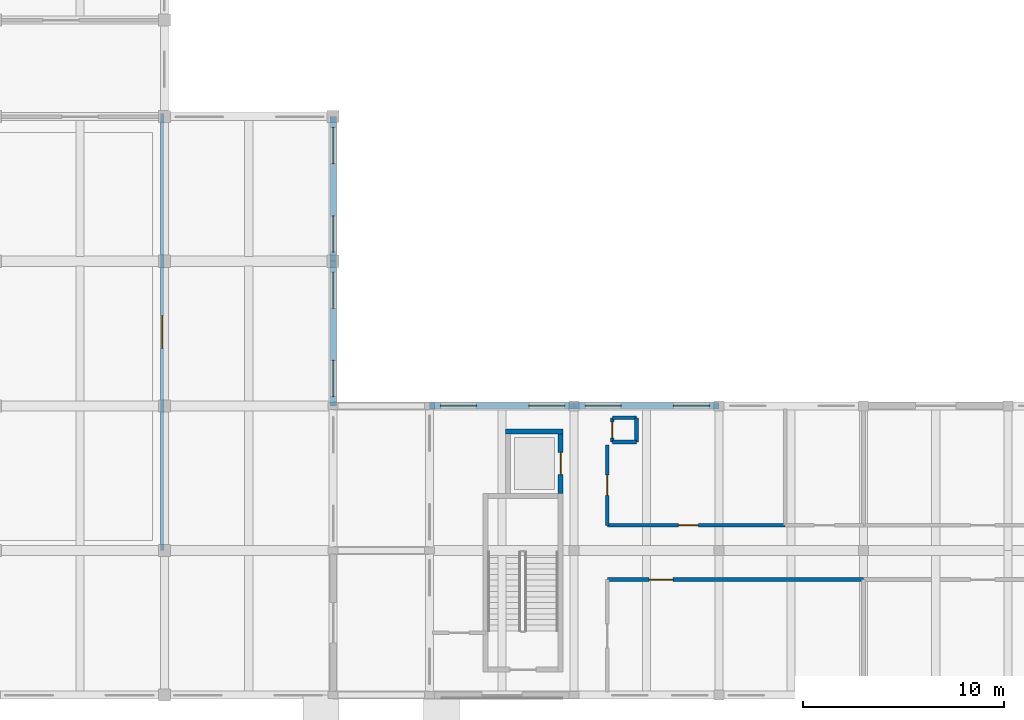
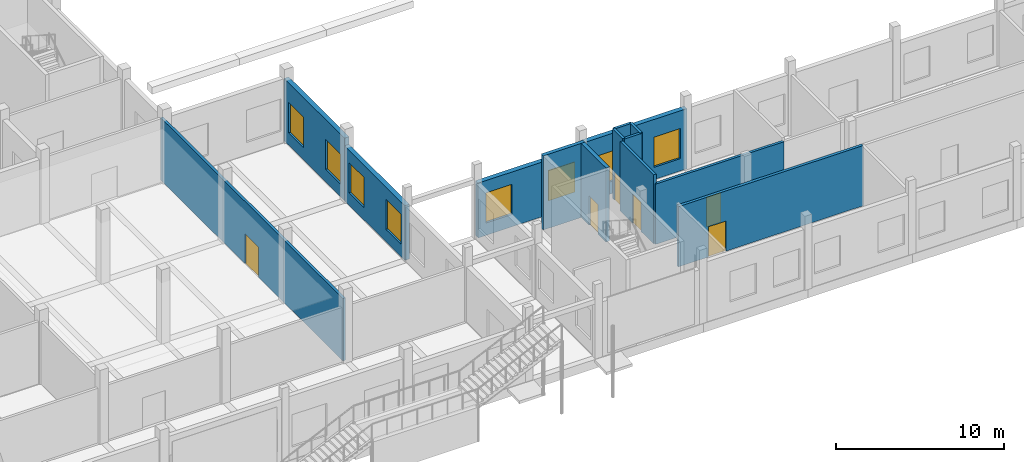
# One storey, part 16 of 41: 14 walls, 8 windows, 6 doors, 14 openings.
"""IFC4 building model written with IfcOpenShell, lengths in metres."""

from ifc_helpers import new_model, si_unit, direction, frame, frame_2d, origin, place, context, subcontext, project, spatial, rectangle, extrude, material, layer, layer_set, type_object, element, fill, save


model = new_model("IFC4")

# Units and contexts
model_context = context("Model", 3, precision=1e-05, world=origin(), true_north=direction((0.0, 1.0)))
body_context = subcontext(model_context, "Body", "Model", "MODEL_VIEW")
ifc_project = project(units=[si_unit("LENGTHUNIT", "METRE"), si_unit("AREAUNIT", "SQUARE_METRE"), si_unit("VOLUMEUNIT", "CUBIC_METRE"), si_unit("PLANEANGLEUNIT", "RADIAN"), si_unit("MASSUNIT", "GRAM", prefix="KILO")], contexts=[model_context])

# Site, building, storey
site_placement = place(None, origin())
site = spatial("IfcSite", under=ifc_project, at=site_placement, CompositionType="ELEMENT")
building_placement = place(site_placement, origin())
building = spatial("IfcBuilding", under=site, at=building_placement, Name="Kahlenmark Community Centre", CompositionType="ELEMENT")
storey_placement = place(building_placement, origin())
storey = spatial("IfcBuildingStorey", under=building, at=storey_placement, Name="L00", CompositionType="ELEMENT", Elevation=0.0)

# Wall
ifc_material_1 = material(Name="Concrete C35/45", Category="concrete")
ifc_layer_1 = layer(ifc_material_1, 0.25)
ifc_layer_set_1 = layer_set([ifc_layer_1], Name="Concrete C35/45")
wall_type_1 = type_object("IfcWallType", Name="WT-CORE-250", PredefinedType="SHEAR", material=ifc_layer_set_1)
wall_1_placement = place(storey_placement, frame((54.590087890625, 21.93505859375, 0.0), z_axis=(0.0, 0.0, 1.0), x_axis=(1.0, 0.0, 0.0)))
element("IfcWall", 1, at=wall_1_placement, inside=storey, type_object=wall_type_1, Name="Core K3 shear wall WL-CORE-K3-L00-0075", PredefinedType="SHEAR", context=body_context, shape_type="SweptSolid", body=[
    extrude(rectangle(XDim=2.85986328125, YDim=0.25, at=frame_2d((1.429931640625, 0.0))), origin(), (0.0, 0.0, 1.0), 5.39990234375),
])

# Wall, opening, door
wall_2_placement = place(storey_placement, frame((57.324951171875, 18.85009765625, 0.0), z_axis=(0.0, 0.0, 1.0), x_axis=(0.0, 1.0, 0.0)))
wall_2 = element("IfcWall", 2, at=wall_2_placement, inside=storey, type_object=wall_type_1, Name="Core K3 shear wall WL-CORE-K3-L00-0076", PredefinedType="SHEAR", context=body_context, shape_type="SweptSolid", body=[
    extrude(rectangle(XDim=2.9599609375, YDim=0.25, at=frame_2d((1.47998046875, 0.0))), origin(), (0.0, 0.0, 1.0), 5.39990234375),
])
opening_1_placement = place(wall_2_placement, frame((0.929931640625, 0.0, -0.010009765625)))
opening_1 = element("IfcOpeningElement", 3, at=opening_1_placement, cuts=wall_2, Name="Opening LD-3", PredefinedType="OPENING", context=body_context, shape_type="SweptSolid", body=[
    extrude(rectangle(XDim=1.10009765625, YDim=2.159912109375, at=frame_2d((0.550048828125, 1.080078125))), frame((0.0, 0.135009765625, 0.0), z_axis=(0.0, -1.0, 0.0), x_axis=(1.0, 0.0, 0.0)), (0.0, 0.0, 1.0), 0.27001953125),
])
ifc_material_2 = material(Name="Brushed stainless steel sliding lift landing door", Category="steel")
door_type_1 = type_object("IfcDoorType", Name="DT-LD-K3", OperationType="SLIDING_TO_LEFT", PredefinedType="DOOR", material=ifc_material_2)
door_1_placement = place(opening_1_placement, frame((0.0, 0.0, 0.010009765625)))
door_1 = element("IfcDoor", 4, at=door_1_placement, inside=storey, type_object=door_type_1, Name="Lift LF-03 sliding landing door L00", OperationType="SLIDING_TO_LEFT", OverallHeight=2.14990234375, OverallWidth=1.10009765625, PredefinedType="DOOR", context=body_context, shape_type="SweptSolid", body=[
    extrude(rectangle(XDim=1.10009765625, YDim=2.14990234375, at=frame_2d((0.550048828125, 1.074951171875))), frame((0.0, 0.02490234375, 0.0), z_axis=(0.0, -1.0, 0.0), x_axis=(1.0, 0.0, 0.0)), (0.0, 0.0, 1.0), 0.050048828125),
])
fill(opening_1, door_1)

# Wall, openings, windows
ifc_material_3 = material(Name="Danube limestone masonry", Category="masonry")
ifc_layer_2 = layer(ifc_material_3, 0.320068359375)
ifc_layer_set_2 = layer_set([ifc_layer_2], Name="Danube limestone masonry")
wall_type_2 = type_object("IfcWallType", Name="WT-EW-320", PredefinedType="SOLIDWALL", material=ifc_layer_set_2)
wall_3_placement = place(storey_placement, frame((46.0, 23.199951171875, 0.0), z_axis=(0.0, 0.0, 1.0), x_axis=(0.0, 1.0, 0.0)))
wall_3 = element("IfcWall", 5, at=wall_3_placement, inside=storey, type_object=wall_type_2, Name="Exterior wall WL-EXT-L00-0150", PredefinedType="SOLIDWALL", context=body_context, shape_type="SweptSolid", body=[
    extrude(rectangle(XDim=7.199951171875, YDim=0.320068359375, at=frame_2d((3.60009765625, 0.0))), origin(), (0.0, 0.0, 1.0), 3.989990234375),
])
opening_2_placement = place(wall_3_placement, frame((0.4599609375, 0.0, 0.89990234375)))
opening_2 = element("IfcOpeningElement", 6, at=opening_2_placement, cuts=wall_3, Name="Opening W-180X220", PredefinedType="OPENING", context=body_context, shape_type="SweptSolid", body=[
    extrude(rectangle(XDim=1.800048828125, YDim=2.199951171875, at=frame_2d((0.89990234375, 1.10009765625))), frame((0.0, 0.169921875, 0.0), z_axis=(0.0, -1.0, 0.0), x_axis=(1.0, 0.0, 0.0)), (0.0, 0.0, 1.0), 0.340087890625),
])
opening_3_placement = place(wall_3_placement, frame((4.860107421875, 0.0, 0.89990234375)))
opening_3 = element("IfcOpeningElement", 7, at=opening_3_placement, cuts=wall_3, Name="Opening W-180X220", PredefinedType="OPENING", context=body_context, shape_type="SweptSolid", body=[
    extrude(rectangle(XDim=1.800048828125, YDim=2.199951171875, at=frame_2d((0.89990234375, 1.10009765625))), frame((0.0, 0.169921875, 0.0), z_axis=(0.0, -1.0, 0.0), x_axis=(1.0, 0.0, 0.0)), (0.0, 0.0, 1.0), 0.340087890625),
])
ifc_material_4 = material(Name="Triple low-e insulated glazing in timber-aluminium frame", Category="wood")
window_type = type_object("IfcWindowType", Name="WNT-180X220", PartitioningType="DOUBLE_PANEL_VERTICAL", PredefinedType="WINDOW", material=ifc_material_4)
window_1_placement = place(opening_2_placement, origin())
window_1 = element("IfcWindow", 8, at=window_1_placement, inside=storey, type_object=window_type, Name="Window W-180X220 #0024", OverallHeight=2.199951171875, OverallWidth=1.800048828125, PartitioningType="DOUBLE_PANEL_VERTICAL", PredefinedType="WINDOW", context=body_context, shape_type="SweptSolid", body=[
    extrude(rectangle(XDim=1.800048828125, YDim=2.199951171875, at=frame_2d((0.89990234375, 1.10009765625))), frame((0.0, 0.030029296875, 0.0), z_axis=(0.0, -1.0, 0.0), x_axis=(1.0, 0.0, 0.0)), (0.0, 0.0, 1.0), 0.06005859375),
])
fill(opening_2, window_1)
window_2_placement = place(opening_3_placement, origin())
window_2 = element("IfcWindow", 9, at=window_2_placement, inside=storey, type_object=window_type, Name="Window W-180X220 #0025", OverallHeight=2.199951171875, OverallWidth=1.800048828125, PartitioningType="DOUBLE_PANEL_VERTICAL", PredefinedType="WINDOW", context=body_context, shape_type="SweptSolid", body=[
    extrude(rectangle(XDim=1.800048828125, YDim=2.199951171875, at=frame_2d((0.89990234375, 1.10009765625))), frame((0.0, 0.030029296875, 0.0), z_axis=(0.0, -1.0, 0.0), x_axis=(1.0, 0.0, 0.0)), (0.0, 0.0, 1.0), 0.06005859375),
])
fill(opening_3, window_2)

wall_4_placement = place(storey_placement, frame((46.0, 30.39990234375, 0.0), z_axis=(0.0, 0.0, 1.0), x_axis=(0.0, 1.0, 0.0)))
wall_4 = element("IfcWall", 10, at=wall_4_placement, inside=storey, type_object=wall_type_2, Name="Exterior wall WL-EXT-L00-0151", PredefinedType="SOLIDWALL", context=body_context, shape_type="SweptSolid", body=[
    extrude(rectangle(XDim=7.2001953125, YDim=0.320068359375, at=frame_2d((3.60009765625, 0.0))), origin(), (0.0, 0.0, 1.0), 4.5400390625),
])
opening_4_placement = place(wall_4_placement, frame((0.4599609375, 0.0, 0.89990234375)))
opening_4 = element("IfcOpeningElement", 11, at=opening_4_placement, cuts=wall_4, Name="Opening W-180X220", PredefinedType="OPENING", context=body_context, shape_type="SweptSolid", body=[
    extrude(rectangle(XDim=1.800048828125, YDim=2.199951171875, at=frame_2d((0.89990234375, 1.10009765625))), frame((0.0, 0.169921875, 0.0), z_axis=(0.0, -1.0, 0.0), x_axis=(1.0, 0.0, 0.0)), (0.0, 0.0, 1.0), 0.340087890625),
])
opening_5_placement = place(wall_4_placement, frame((4.860107421875, 0.0, 0.89990234375)))
opening_5 = element("IfcOpeningElement", 12, at=opening_5_placement, cuts=wall_4, Name="Opening W-180X220", PredefinedType="OPENING", context=body_context, shape_type="SweptSolid", body=[
    extrude(rectangle(XDim=1.800048828125, YDim=2.199951171875, at=frame_2d((0.89990234375, 1.10009765625))), frame((0.0, 0.169921875, 0.0), z_axis=(0.0, -1.0, 0.0), x_axis=(1.0, 0.0, 0.0)), (0.0, 0.0, 1.0), 0.340087890625),
])
window_3_placement = place(opening_4_placement, origin())
window_3 = element("IfcWindow", 13, at=window_3_placement, inside=storey, type_object=window_type, Name="Window W-180X220 #0026", OverallHeight=2.199951171875, OverallWidth=1.800048828125, PartitioningType="DOUBLE_PANEL_VERTICAL", PredefinedType="WINDOW", context=body_context, shape_type="SweptSolid", body=[
    extrude(rectangle(XDim=1.800048828125, YDim=2.199951171875, at=frame_2d((0.89990234375, 1.10009765625))), frame((0.0, 0.030029296875, 0.0), z_axis=(0.0, -1.0, 0.0), x_axis=(1.0, 0.0, 0.0)), (0.0, 0.0, 1.0), 0.06005859375),
])
fill(opening_4, window_3)
window_4_placement = place(opening_5_placement, origin())
window_4 = element("IfcWindow", 14, at=window_4_placement, inside=storey, type_object=window_type, Name="Window W-180X220 #0027", OverallHeight=2.199951171875, OverallWidth=1.800048828125, PartitioningType="DOUBLE_PANEL_VERTICAL", PredefinedType="WINDOW", context=body_context, shape_type="SweptSolid", body=[
    extrude(rectangle(XDim=1.800048828125, YDim=2.199951171875, at=frame_2d((0.89990234375, 1.10009765625))), frame((0.0, 0.030029296875, 0.0), z_axis=(0.0, -1.0, 0.0), x_axis=(1.0, 0.0, 0.0)), (0.0, 0.0, 1.0), 0.06005859375),
])
fill(opening_5, window_4)

wall_5_placement = place(storey_placement, frame((58.0, 23.199951171875, 0.0), z_axis=(0.0, 0.0, 1.0), x_axis=(-1.0, 0.0, 0.0)))
wall_5 = element("IfcWall", 15, at=wall_5_placement, inside=storey, type_object=wall_type_2, Name="Exterior wall WL-EXT-L00-0172", PredefinedType="SOLIDWALL", context=body_context, shape_type="SweptSolid", body=[
    extrude(rectangle(XDim=7.199951171875, YDim=0.320068359375, at=frame_2d((3.60009765625, 0.0))), origin(), (0.0, 0.0, 1.0), 3.989990234375),
])
opening_6_placement = place(wall_5_placement, frame((0.4599609375, 0.0, 0.89990234375)))
opening_6 = element("IfcOpeningElement", 16, at=opening_6_placement, cuts=wall_5, Name="Opening W-180X220", PredefinedType="OPENING", context=body_context, shape_type="SweptSolid", body=[
    extrude(rectangle(XDim=1.800048828125, YDim=2.199951171875, at=frame_2d((0.89990234375, 1.10009765625))), frame((0.0, 0.169921875, 0.0), z_axis=(0.0, -1.0, 0.0), x_axis=(1.0, 0.0, 0.0)), (0.0, 0.0, 1.0), 0.340087890625),
])
opening_7_placement = place(wall_5_placement, frame((4.860107421875, 0.0, 0.89990234375)))
opening_7 = element("IfcOpeningElement", 17, at=opening_7_placement, cuts=wall_5, Name="Opening W-180X220", PredefinedType="OPENING", context=body_context, shape_type="SweptSolid", body=[
    extrude(rectangle(XDim=1.800048828125, YDim=2.199951171875, at=frame_2d((0.89990234375, 1.10009765625))), frame((0.0, 0.169921875, 0.0), z_axis=(0.0, -1.0, 0.0), x_axis=(1.0, 0.0, 0.0)), (0.0, 0.0, 1.0), 0.340087890625),
])
window_5_placement = place(opening_6_placement, origin())
window_5 = element("IfcWindow", 18, at=window_5_placement, inside=storey, type_object=window_type, Name="Window W-180X220 #0054", OverallHeight=2.199951171875, OverallWidth=1.800048828125, PartitioningType="DOUBLE_PANEL_VERTICAL", PredefinedType="WINDOW", context=body_context, shape_type="SweptSolid", body=[
    extrude(rectangle(XDim=1.800048828125, YDim=2.199951171875, at=frame_2d((0.89990234375, 1.10009765625))), frame((0.0, 0.030029296875, 0.0), z_axis=(0.0, -1.0, 0.0), x_axis=(1.0, 0.0, 0.0)), (0.0, 0.0, 1.0), 0.06005859375),
])
fill(opening_6, window_5)
window_6_placement = place(opening_7_placement, origin())
window_6 = element("IfcWindow", 19, at=window_6_placement, inside=storey, type_object=window_type, Name="Window W-180X220 #0055", OverallHeight=2.199951171875, OverallWidth=1.800048828125, PartitioningType="DOUBLE_PANEL_VERTICAL", PredefinedType="WINDOW", context=body_context, shape_type="SweptSolid", body=[
    extrude(rectangle(XDim=1.800048828125, YDim=2.199951171875, at=frame_2d((0.89990234375, 1.10009765625))), frame((0.0, 0.030029296875, 0.0), z_axis=(0.0, -1.0, 0.0), x_axis=(1.0, 0.0, 0.0)), (0.0, 0.0, 1.0), 0.06005859375),
])
fill(opening_7, window_6)

wall_6_placement = place(storey_placement, frame((65.199951171875, 23.199951171875, 0.0), z_axis=(0.0, 0.0, 1.0), x_axis=(-1.0, 0.0, 0.0)))
wall_6 = element("IfcWall", 20, at=wall_6_placement, inside=storey, type_object=wall_type_2, Name="Exterior wall WL-EXT-L00-0173", PredefinedType="SOLIDWALL", context=body_context, shape_type="SweptSolid", body=[
    extrude(rectangle(XDim=7.199951171875, YDim=0.320068359375, at=frame_2d((3.60009765625, 0.0))), origin(), (0.0, 0.0, 1.0), 4.389892578125),
])
opening_8_placement = place(wall_6_placement, frame((0.4599609375, 0.0, 0.89990234375)))
opening_8 = element("IfcOpeningElement", 21, at=opening_8_placement, cuts=wall_6, Name="Opening W-180X220", PredefinedType="OPENING", context=body_context, shape_type="SweptSolid", body=[
    extrude(rectangle(XDim=1.800048828125, YDim=2.199951171875, at=frame_2d((0.89990234375, 1.10009765625))), frame((0.0, 0.169921875, 0.0), z_axis=(0.0, -1.0, 0.0), x_axis=(1.0, 0.0, 0.0)), (0.0, 0.0, 1.0), 0.340087890625),
])
opening_9_placement = place(wall_6_placement, frame((4.860107421875, 0.0, 0.89990234375)))
opening_9 = element("IfcOpeningElement", 22, at=opening_9_placement, cuts=wall_6, Name="Opening W-180X220", PredefinedType="OPENING", context=body_context, shape_type="SweptSolid", body=[
    extrude(rectangle(XDim=1.800048828125, YDim=2.199951171875, at=frame_2d((0.89990234375, 1.10009765625))), frame((0.0, 0.169921875, 0.0), z_axis=(0.0, -1.0, 0.0), x_axis=(1.0, 0.0, 0.0)), (0.0, 0.0, 1.0), 0.340087890625),
])
window_7_placement = place(opening_8_placement, origin())
window_7 = element("IfcWindow", 23, at=window_7_placement, inside=storey, type_object=window_type, Name="Window W-180X220 #0056", OverallHeight=2.199951171875, OverallWidth=1.800048828125, PartitioningType="DOUBLE_PANEL_VERTICAL", PredefinedType="WINDOW", context=body_context, shape_type="SweptSolid", body=[
    extrude(rectangle(XDim=1.800048828125, YDim=2.199951171875, at=frame_2d((0.89990234375, 1.10009765625))), frame((0.0, 0.030029296875, 0.0), z_axis=(0.0, -1.0, 0.0), x_axis=(1.0, 0.0, 0.0)), (0.0, 0.0, 1.0), 0.06005859375),
])
fill(opening_8, window_7)
window_8_placement = place(opening_9_placement, origin())
window_8 = element("IfcWindow", 24, at=window_8_placement, inside=storey, type_object=window_type, Name="Window W-180X220 #0057", OverallHeight=2.199951171875, OverallWidth=1.800048828125, PartitioningType="DOUBLE_PANEL_VERTICAL", PredefinedType="WINDOW", context=body_context, shape_type="SweptSolid", body=[
    extrude(rectangle(XDim=1.800048828125, YDim=2.199951171875, at=frame_2d((0.89990234375, 1.10009765625))), frame((0.0, 0.030029296875, 0.0), z_axis=(0.0, -1.0, 0.0), x_axis=(1.0, 0.0, 0.0)), (0.0, 0.0, 1.0), 0.06005859375),
])
fill(opening_9, window_8)

# Wall, opening, door
ifc_material_5 = material(Name="Gypsum plasterboard partition", Category="gypsum")
ifc_layer_3 = layer(ifc_material_5, 0.179931640625)
ifc_layer_set_3 = layer_set([ifc_layer_3], Name="Gypsum plasterboard partition")
wall_type_3 = type_object("IfcWallType", Name="WT-PW-180", PredefinedType="PARTITIONING", material=ifc_layer_set_3)
wall_7_placement = place(storey_placement, frame((37.5, 16.0, 0.0), z_axis=(0.0, 0.0, 1.0), x_axis=(0.0, 1.0, 0.0)))
wall_7 = element("IfcWall", 25, at=wall_7_placement, inside=storey, type_object=wall_type_3, Name="Interior partition WL-INT-L00-0019", PredefinedType="PARTITIONING", context=body_context, shape_type="SweptSolid", body=[
    extrude(rectangle(XDim=21.75, YDim=0.179931640625, at=frame_2d((10.875, 0.0))), origin(), (0.0, 0.0, 1.0), 4.5400390625),
])
opening_10_placement = place(wall_7_placement, frame((10.074951171875, 0.0, -0.010009765625)))
opening_10 = element("IfcOpeningElement", 26, at=opening_10_placement, cuts=wall_7, Name="Opening D-L00-011", PredefinedType="OPENING", context=body_context, shape_type="SweptSolid", body=[
    extrude(rectangle(XDim=1.60009765625, YDim=2.2099609375, at=frame_2d((0.800048828125, 1.10498046875))), frame((0.0, 0.099853515625, 0.0), z_axis=(0.0, -1.0, 0.0), x_axis=(1.0, 0.0, 0.0)), (0.0, 0.0, 1.0), 0.199951171875),
])
ifc_material_6 = material(Name="Oak double-leaf acoustic door")
door_type_2 = type_object("IfcDoorType", Name="DT-DBL-160X220", OperationType="NOTDEFINED", PredefinedType="DOOR", material=ifc_material_6)
door_2_placement = place(opening_10_placement, frame((0.0, 0.0, 0.010009765625)))
door_2 = element("IfcDoor", 27, at=door_2_placement, inside=storey, type_object=door_type_2, Name="Interior door D-L00-011", OperationType="DOUBLE_SWING_LEFT", OverallHeight=2.199951171875, OverallWidth=1.60009765625, PredefinedType="DOOR", context=body_context, shape_type="SweptSolid", body=[
    extrude(rectangle(XDim=1.60009765625, YDim=2.199951171875, at=frame_2d((0.800048828125, 1.10009765625))), frame((0.0, 0.02490234375, 0.0), z_axis=(0.0, -1.0, 0.0), x_axis=(1.0, 0.0, 0.0)), (0.0, 0.0, 1.0), 0.050048828125),
])
fill(opening_10, door_2)

wall_8_placement = place(storey_placement, frame((59.64990234375, 17.25, 0.0), z_axis=(0.0, 0.0, 1.0), x_axis=(0.0, 1.0, 0.0)))
wall_8 = element("IfcWall", 28, at=wall_8_placement, inside=storey, type_object=wall_type_3, Name="Interior partition WL-INT-L00-0033", PredefinedType="PARTITIONING", context=body_context, shape_type="SweptSolid", body=[
    extrude(rectangle(XDim=4.0, YDim=0.179931640625, at=frame_2d((2.0, 0.0))), origin(), (0.0, 0.0, 1.0), 5.0400390625),
])
opening_11_placement = place(wall_8_placement, frame((1.5, 0.0, -0.010009765625)))
opening_11 = element("IfcOpeningElement", 29, at=opening_11_placement, cuts=wall_8, Name="Opening D-L00-023", PredefinedType="OPENING", context=body_context, shape_type="SweptSolid", body=[
    extrude(rectangle(XDim=1.0, YDim=2.159912109375, at=frame_2d((0.5, 1.080078125))), frame((0.0, 0.099853515625, 0.0), z_axis=(0.0, -1.0, 0.0), x_axis=(1.0, 0.0, 0.0)), (0.0, 0.0, 1.0), 0.199951171875),
])
ifc_material_7 = material(Name="Fire-rated timber door FD30S", Category="wood")
door_type_3 = type_object("IfcDoorType", Name="DT-FD30-100X215", OperationType="NOTDEFINED", PredefinedType="DOOR", material=ifc_material_7)
door_3_placement = place(opening_11_placement, frame((0.0, 0.0, 0.010009765625)))
door_3 = element("IfcDoor", 30, at=door_3_placement, inside=storey, type_object=door_type_3, Name="Interior door D-L00-023", OperationType="SINGLE_SWING_RIGHT", OverallHeight=2.14990234375, OverallWidth=1.0, PredefinedType="DOOR", context=body_context, shape_type="SweptSolid", body=[
    extrude(rectangle(XDim=1.0, YDim=2.14990234375, at=frame_2d((0.5, 1.074951171875))), frame((0.0, 0.02490234375, 0.0), z_axis=(0.0, -1.0, 0.0), x_axis=(1.0, 0.0, 0.0)), (0.0, 0.0, 1.0), 0.050048828125),
])
fill(opening_11, door_3)

wall_9_placement = place(storey_placement, frame((59.64990234375, 17.25, 0.0), z_axis=(0.0, 0.0, 1.0), x_axis=(1.0, 0.0, 0.0)))
wall_9 = element("IfcWall", 31, at=wall_9_placement, inside=storey, type_object=wall_type_3, Name="Interior partition WL-INT-L00-0036", PredefinedType="PARTITIONING", context=body_context, shape_type="SweptSolid", body=[
    extrude(rectangle(XDim=8.85009765625, YDim=0.179931640625, at=frame_2d((4.425048828125, 0.0))), origin(), (0.0, 0.0, 1.0), 4.389892578125),
])
opening_12_placement = place(wall_9_placement, frame((3.532958984375, 0.0, -0.010009765625)))
opening_12 = element("IfcOpeningElement", 32, at=opening_12_placement, cuts=wall_9, Name="Opening D-L00-026", PredefinedType="OPENING", context=body_context, shape_type="SweptSolid", body=[
    extrude(rectangle(XDim=1.0, YDim=2.159912109375, at=frame_2d((0.5, 1.080078125))), frame((0.0, 0.099853515625, 0.0), z_axis=(0.0, -1.0, 0.0), x_axis=(1.0, 0.0, 0.0)), (0.0, 0.0, 1.0), 0.199951171875),
])
ifc_material_8 = material(Name="Oak timber veneer door leaf", Category="wood")
door_type_4 = type_object("IfcDoorType", Name="DT-INT-100X215", OperationType="NOTDEFINED", PredefinedType="DOOR", material=ifc_material_8)
door_4_placement = place(opening_12_placement, frame((0.0, 0.0, 0.010009765625)))
door_4 = element("IfcDoor", 33, at=door_4_placement, inside=storey, type_object=door_type_4, Name="Interior door D-L00-026", OperationType="SINGLE_SWING_LEFT", OverallHeight=2.14990234375, OverallWidth=1.0, PredefinedType="DOOR", context=body_context, shape_type="SweptSolid", body=[
    extrude(rectangle(XDim=1.0, YDim=2.14990234375, at=frame_2d((0.5, 1.074951171875))), frame((0.0, 0.02490234375, 0.0), z_axis=(0.0, -1.0, 0.0), x_axis=(1.0, 0.0, 0.0)), (0.0, 0.0, 1.0), 0.050048828125),
])
fill(opening_12, door_4)

ifc_material_9 = material(Name="Masonry blockwork", Category="masonry")
ifc_layer_4 = layer(ifc_material_9, 0.199951171875)
ifc_layer_set_4 = layer_set([ifc_layer_4], Name="Masonry blockwork")
wall_type_4 = type_object("IfcWallType", Name="WT-PW-200", PredefinedType="PARTITIONING", material=ifc_layer_set_4)
wall_10_placement = place(storey_placement, frame((59.64990234375, 14.550048828125, 0.0), z_axis=(0.0, 0.0, 1.0), x_axis=(1.0, 0.0, 0.0)))
wall_10 = element("IfcWall", 34, at=wall_10_placement, inside=storey, type_object=wall_type_4, Name="Interior partition WL-INT-L00-0034", PredefinedType="PARTITIONING", context=body_context, shape_type="SweptSolid", body=[
    extrude(rectangle(XDim=12.75, YDim=0.199951171875, at=frame_2d((6.375, 0.0))), origin(), (0.0, 0.0, 1.0), 4.389892578125),
])
opening_13_placement = place(wall_10_placement, frame((2.0791015625, 0.0, -0.010009765625)))
opening_13 = element("IfcOpeningElement", 35, at=opening_13_placement, cuts=wall_10, Name="Opening D-L00-024", PredefinedType="OPENING", context=body_context, shape_type="SweptSolid", body=[
    extrude(rectangle(XDim=1.199951171875, YDim=2.2099609375, at=frame_2d((0.60009765625, 1.10498046875))), frame((0.0, 0.10986328125, 0.0), z_axis=(0.0, -1.0, 0.0), x_axis=(1.0, 0.0, 0.0)), (0.0, 0.0, 1.0), 0.219970703125),
])
ifc_material_10 = material(Name="Fire-rated timber door FD60S", Category="wood")
door_type_5 = type_object("IfcDoorType", Name="DT-FD60-120X220", OperationType="NOTDEFINED", PredefinedType="DOOR", material=ifc_material_10)
door_5_placement = place(opening_13_placement, frame((1.199951171875, 0.0, 0.010009765625), z_axis=(0.0, 0.0, 1.0), x_axis=(-1.0, 0.0, 0.0)))
door_5 = element("IfcDoor", 36, at=door_5_placement, inside=storey, type_object=door_type_5, Name="Interior door D-L00-024", OperationType="SINGLE_SWING_LEFT", OverallHeight=2.199951171875, OverallWidth=1.199951171875, PredefinedType="DOOR", context=body_context, shape_type="SweptSolid", body=[
    extrude(rectangle(XDim=1.199951171875, YDim=2.199951171875, at=frame_2d((0.60009765625, 1.10009765625))), frame((0.0, 0.02490234375, 0.0), z_axis=(0.0, -1.0, 0.0), x_axis=(1.0, 0.0, 0.0)), (0.0, 0.0, 1.0), 0.050048828125),
])
fill(opening_13, door_5)

# Walls
ifc_layer_5 = layer(ifc_material_9, 0.179931640625)
ifc_layer_set_5 = layer_set([ifc_layer_5], Name="Masonry blockwork")
wall_type_5 = type_object("IfcWallType", Name="WT-RISER-180", PredefinedType="SOLIDWALL", material=ifc_layer_set_5)
for number, where, z_axis, x_axis, name in (
    (37, (59.89990234375, 21.39990234375, 0.0), (0.0, 0.0, 1.0), (1.0, 0.0, 0.0), "Riser RS-03 shaft wall L00.1"),
    (38, (61.10009765625, 21.39990234375, 0.0), (0.0, 0.0, 1.0), (0.0, 1.0, 0.0), "Riser RS-03 shaft wall L00.2"),
    (39, (61.10009765625, 22.60009765625, 0.0), (0.0, 0.0, 1.0), (-1.0, 0.0, 0.0), "Riser RS-03 shaft wall L00.3"),
):
    element("IfcWall", number, at=place(storey_placement, frame(where, z_axis=z_axis, x_axis=x_axis)), inside=storey, type_object=wall_type_5, Name=name, PredefinedType="SOLIDWALL", context=body_context, shape_type="SweptSolid", body=[
        extrude(rectangle(XDim=1.2001953125, YDim=0.179931640625, at=frame_2d((0.60009765625, 0.0))), origin(), (0.0, 0.0, 1.0), 5.070068359375),
    ])

# Wall, opening, door
wall_11_placement = place(storey_placement, frame((59.89990234375, 22.60009765625, 0.0), z_axis=(0.0, 0.0, 1.0), x_axis=(0.0, -1.0, 0.0)))
wall_11 = element("IfcWall", 40, at=wall_11_placement, inside=storey, type_object=wall_type_5, Name="Riser RS-03 shaft wall L00.4", PredefinedType="SOLIDWALL", context=body_context, shape_type="SweptSolid", body=[
    extrude(rectangle(XDim=1.2001953125, YDim=0.179931640625, at=frame_2d((0.60009765625, 0.0))), origin(), (0.0, 0.0, 1.0), 5.070068359375),
])
opening_14_placement = place(wall_11_placement, frame((0.199951171875, 0.0, -0.010009765625)))
opening_14 = element("IfcOpeningElement", 41, at=opening_14_placement, cuts=wall_11, Name="Opening FD-RS80", PredefinedType="OPENING", context=body_context, shape_type="SweptSolid", body=[
    extrude(rectangle(XDim=0.800048828125, YDim=2.06005859375, at=frame_2d((0.39990234375, 1.030029296875))), frame((0.0, 0.099853515625, 0.0), z_axis=(0.0, -1.0, 0.0), x_axis=(1.0, 0.0, 0.0)), (0.0, 0.0, 1.0), 0.199951171875),
])
ifc_material_11 = material(Name="Fire-rated steel service riser door FD60S", Category="steel")
door_type_6 = type_object("IfcDoorType", Name="DT-RISER-80X205", OperationType="NOTDEFINED", PredefinedType="DOOR", material=ifc_material_11)
door_6_placement = place(opening_14_placement, frame((0.0, 0.0, 0.010009765625)))
door_6 = element("IfcDoor", 42, at=door_6_placement, inside=storey, type_object=door_type_6, Name="Riser RS-03 access door L00", OperationType="SINGLE_SWING_RIGHT", OverallHeight=2.050048828125, OverallWidth=0.800048828125, PredefinedType="DOOR", context=body_context, shape_type="SweptSolid", body=[
    extrude(rectangle(XDim=0.800048828125, YDim=2.050048828125, at=frame_2d((0.39990234375, 1.02490234375))), frame((0.0, 0.02490234375, 0.0), z_axis=(0.0, -1.0, 0.0), x_axis=(1.0, 0.0, 0.0)), (0.0, 0.0, 1.0), 0.050048828125),
])
fill(opening_14, door_6)

save(model, "model.ifc")
